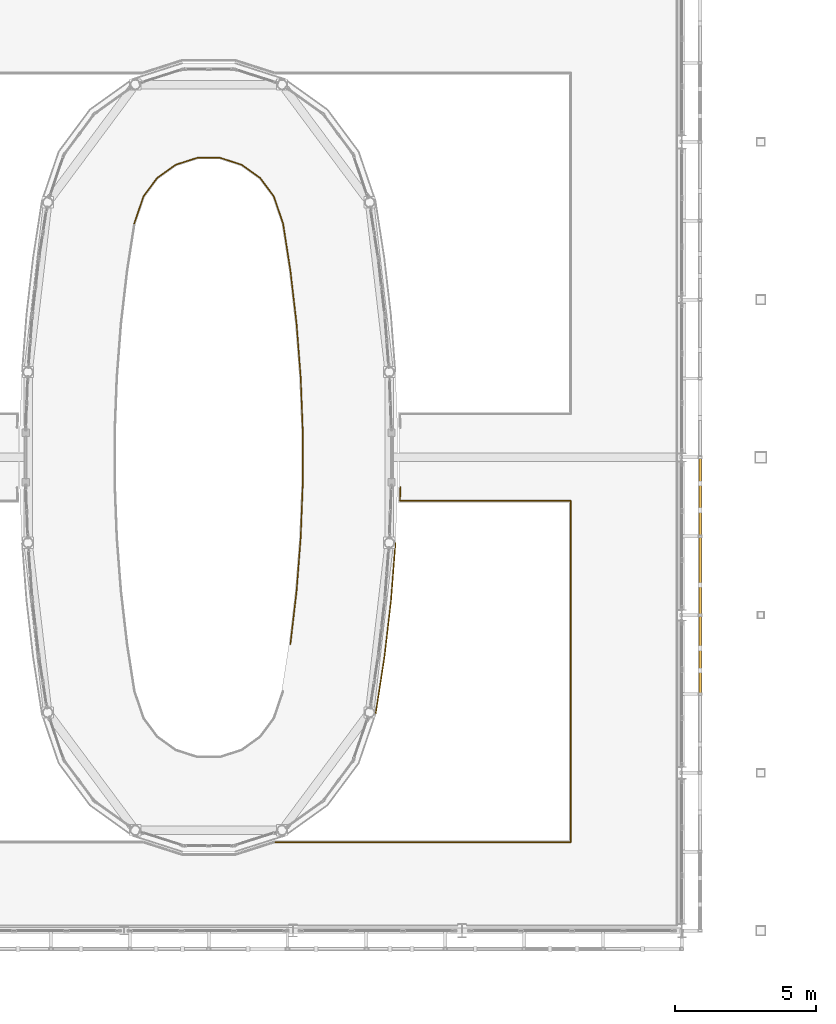
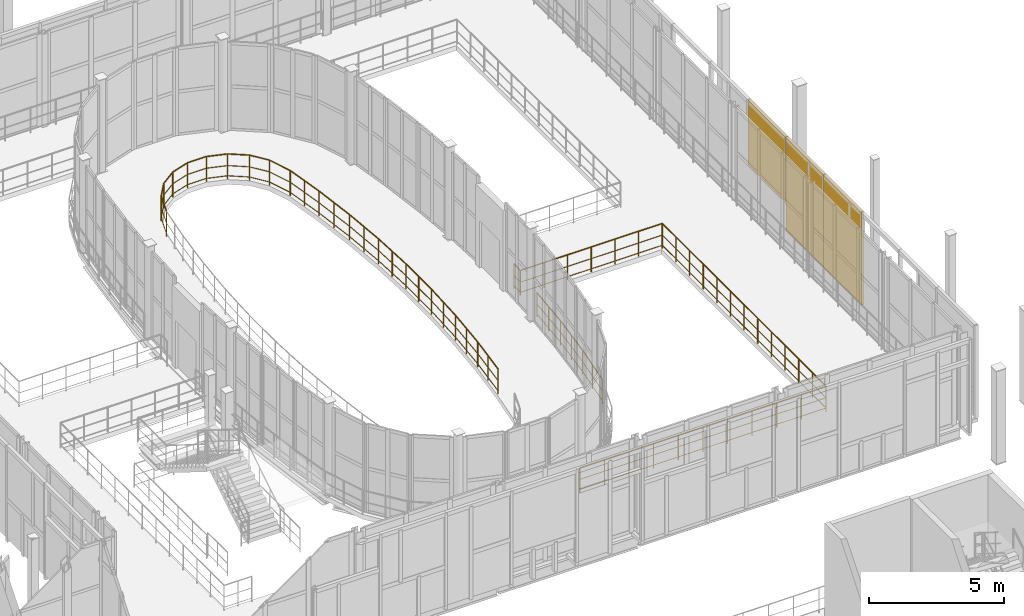
# One storey, part 133 of 138: 5 railings, 3 shading devices.
"""IFC4 building model written with IfcOpenShell, lengths in metres."""

from ifc_helpers import new_model, si_unit, direction, frame, origin, origin_2d, place, context, subcontext, project, spatial, rectangle, circle, extrude, material, type_object, element, save


model = new_model("IFC4")

# Units and contexts
model_context = context("Model", 3, precision=1e-05, world=origin(), true_north=direction((0.0, 1.0)))
body_context = subcontext(model_context, "Body", "Model", "MODEL_VIEW")
ifc_project = project(units=[si_unit("LENGTHUNIT", "METRE"), si_unit("AREAUNIT", "SQUARE_METRE"), si_unit("VOLUMEUNIT", "CUBIC_METRE"), si_unit("PLANEANGLEUNIT", "RADIAN"), si_unit("MASSUNIT", "GRAM", prefix="KILO")], contexts=[model_context])

# Site, building, storey
site_placement = place(None, origin())
site = spatial("IfcSite", under=ifc_project, at=site_placement, CompositionType="ELEMENT")
building_placement = place(site_placement, origin())
building = spatial("IfcBuilding", under=site, at=building_placement, Name="Vinh Khe Railworks Police Headquarters", CompositionType="ELEMENT")
storey_placement = place(building_placement, frame((0.0, 0.0, 9.0)))
storey = spatial("IfcBuildingStorey", under=building, at=storey_placement, Name="L02", CompositionType="ELEMENT", Elevation=9.0)

# Railings
ifc_material_1 = material(Name="Dark steel and laminated safety glass", Category="steel")
railing_type_1 = type_object("IfcRailingType", Name="RL-ATRIUM-1150", PredefinedType="BALUSTRADE", material=ifc_material_1)
railing_1_placement = place(storey_placement, frame((50.009033203125, 40.949951171875, 0.0)))
element("IfcRailing", 1, at=railing_1_placement, inside=storey, type_object=railing_type_1, Name="Atrium Balustrade GR-V1HOLE-L02-1-04", PredefinedType="BALUSTRADE", context=body_context, shape_type="SweptSolid", body=[
    extrude(circle(Radius=0.02392578125, at=origin_2d()), frame((0.0, 0.0, 1.1259765625), z_axis=(-0.038337515315, -0.999264847235, 0.0), x_axis=(0.999264847235, -0.038337515315, 0.0)), (0.0, 0.0, 1.0), 0.490234375),
    extrude(circle(Radius=0.01416015625, at=origin_2d()), frame((0.0, 0.0, 0.137939453125), z_axis=(-0.038337515315, -0.999264847235, 0.0), x_axis=(0.999264847235, -0.038337515315, 0.0)), (0.0, 0.0, 1.0), 0.490234375),
    extrude(circle(Radius=0.01416015625, at=origin_2d()), frame((0.0, 0.0, 0.597900390625), z_axis=(-0.038337515315, -0.999264847235, 0.0), x_axis=(0.999264847235, -0.038337515315, 0.0)), (0.0, 0.0, 1.0), 0.490234375),
    extrude(circle(Radius=0.02392578125, at=origin_2d()), frame((-0.018798828125, -0.489990234375, 1.1259765625), z_axis=(1.0, 0.0, 0.0), x_axis=(0.0, 1.0, 0.0)), (0.0, 0.0, 1.0), 6.06982421875),
    extrude(circle(Radius=0.01416015625, at=origin_2d()), frame((-0.018798828125, -0.489990234375, 0.137939453125), z_axis=(1.0, 0.0, 0.0), x_axis=(0.0, 1.0, 0.0)), (0.0, 0.0, 1.0), 6.06982421875),
    extrude(circle(Radius=0.01416015625, at=origin_2d()), frame((-0.018798828125, -0.489990234375, 0.597900390625), z_axis=(1.0, 0.0, 0.0), x_axis=(0.0, 1.0, 0.0)), (0.0, 0.0, 1.0), 6.06982421875),
    extrude(circle(Radius=0.02392578125, at=origin_2d()), frame((6.051025390625, -0.489990234375, 1.1259765625), z_axis=(0.0, -1.0, 0.0), x_axis=(1.0, 0.0, 0.0)), (0.0, 0.0, 1.0), 12.119873046875),
    extrude(circle(Radius=0.01416015625, at=origin_2d()), frame((6.051025390625, -0.489990234375, 0.137939453125), z_axis=(0.0, -1.0, 0.0), x_axis=(1.0, 0.0, 0.0)), (0.0, 0.0, 1.0), 12.119873046875),
    extrude(circle(Radius=0.01416015625, at=origin_2d()), frame((6.051025390625, -0.489990234375, 0.597900390625), z_axis=(0.0, -1.0, 0.0), x_axis=(1.0, 0.0, 0.0)), (0.0, 0.0, 1.0), 12.119873046875),
    extrude(circle(Radius=0.02392578125, at=origin_2d()), frame((6.051025390625, -12.60986328125, 1.1259765625), z_axis=(-1.0, 0.0, 0.0), x_axis=(0.0, -1.0, 0.0)), (0.0, 0.0, 1.0), 10.5244140625),
    extrude(circle(Radius=0.01416015625, at=origin_2d()), frame((6.051025390625, -12.60986328125, 0.137939453125), z_axis=(-1.0, 0.0, 0.0), x_axis=(0.0, -1.0, 0.0)), (0.0, 0.0, 1.0), 10.5244140625),
    extrude(circle(Radius=0.01416015625, at=origin_2d()), frame((6.051025390625, -12.60986328125, 0.597900390625), z_axis=(-1.0, 0.0, 0.0), x_axis=(0.0, -1.0, 0.0)), (0.0, 0.0, 1.0), 10.5244140625),
    extrude(circle(Radius=0.02099609375, at=origin_2d()), origin(), (0.0, 0.0, 1.0), 1.101806640625),
    extrude(circle(Radius=0.02099609375, at=origin_2d()), frame((-0.018798828125, -0.489990234375, 0.0)), (0.0, 0.0, 1.0), 1.101806640625),
    extrude(circle(Radius=0.02099609375, at=origin_2d()), frame((0.992919921875, -0.489990234375, 0.0)), (0.0, 0.0, 1.0), 1.101806640625),
    extrude(circle(Radius=0.02099609375, at=origin_2d()), frame((2.00439453125, -0.489990234375, 0.0)), (0.0, 0.0, 1.0), 1.101806640625),
    extrude(circle(Radius=0.02099609375, at=origin_2d()), frame((3.01611328125, -0.489990234375, 0.0)), (0.0, 0.0, 1.0), 1.101806640625),
    extrude(circle(Radius=0.02099609375, at=origin_2d()), frame((4.02783203125, -0.489990234375, 0.0)), (0.0, 0.0, 1.0), 1.101806640625),
    extrude(circle(Radius=0.02099609375, at=origin_2d()), frame((5.039306640625, -0.489990234375, 0.0)), (0.0, 0.0, 1.0), 1.101806640625),
    extrude(circle(Radius=0.02099609375, at=origin_2d()), frame((6.051025390625, -0.489990234375, 0.0)), (0.0, 0.0, 1.0), 1.101806640625),
    extrude(circle(Radius=0.02099609375, at=origin_2d()), frame((6.051025390625, -1.5, 0.0)), (0.0, 0.0, 1.0), 1.101806640625),
    extrude(circle(Radius=0.02099609375, at=origin_2d()), frame((6.051025390625, -2.510009765625, 0.0)), (0.0, 0.0, 1.0), 1.101806640625),
    extrude(circle(Radius=0.02099609375, at=origin_2d()), frame((6.051025390625, -3.52001953125, 0.0)), (0.0, 0.0, 1.0), 1.101806640625),
    extrude(circle(Radius=0.02099609375, at=origin_2d()), frame((6.051025390625, -4.530029296875, 0.0)), (0.0, 0.0, 1.0), 1.101806640625),
    extrude(circle(Radius=0.02099609375, at=origin_2d()), frame((6.051025390625, -5.5400390625, 0.0)), (0.0, 0.0, 1.0), 1.101806640625),
    extrude(circle(Radius=0.02099609375, at=origin_2d()), frame((6.051025390625, -6.5498046875, 0.0)), (0.0, 0.0, 1.0), 1.101806640625),
    extrude(circle(Radius=0.02099609375, at=origin_2d()), frame((6.051025390625, -7.559814453125, 0.0)), (0.0, 0.0, 1.0), 1.101806640625),
    extrude(circle(Radius=0.02099609375, at=origin_2d()), frame((6.051025390625, -8.56982421875, 0.0)), (0.0, 0.0, 1.0), 1.101806640625),
    extrude(circle(Radius=0.02099609375, at=origin_2d()), frame((6.051025390625, -9.579833984375, 0.0)), (0.0, 0.0, 1.0), 1.101806640625),
    extrude(circle(Radius=0.02099609375, at=origin_2d()), frame((6.051025390625, -10.58984375, 0.0)), (0.0, 0.0, 1.0), 1.101806640625),
    extrude(circle(Radius=0.02099609375, at=origin_2d()), frame((6.051025390625, -11.599853515625, 0.0)), (0.0, 0.0, 1.0), 1.101806640625),
    extrude(circle(Radius=0.02099609375, at=origin_2d()), frame((6.051025390625, -12.60986328125, 0.0)), (0.0, 0.0, 1.0), 1.101806640625),
    extrude(circle(Radius=0.02099609375, at=origin_2d()), frame((4.99853515625, -12.60986328125, 0.0)), (0.0, 0.0, 1.0), 1.101806640625),
    extrude(circle(Radius=0.02099609375, at=origin_2d()), frame((3.946044921875, -12.60986328125, 0.0)), (0.0, 0.0, 1.0), 1.101806640625),
    extrude(circle(Radius=0.02099609375, at=origin_2d()), frame((2.893798828125, -12.60986328125, 0.0)), (0.0, 0.0, 1.0), 1.101806640625),
    extrude(circle(Radius=0.02099609375, at=origin_2d()), frame((1.84130859375, -12.60986328125, 0.0)), (0.0, 0.0, 1.0), 1.101806640625),
    extrude(circle(Radius=0.02099609375, at=origin_2d()), frame((0.788818359375, -12.60986328125, 0.0)), (0.0, 0.0, 1.0), 1.101806640625),
    extrude(circle(Radius=0.02099609375, at=origin_2d()), frame((-0.263671875, -12.60986328125, 0.0)), (0.0, 0.0, 1.0), 1.101806640625),
    extrude(circle(Radius=0.02099609375, at=origin_2d()), frame((-1.316162109375, -12.60986328125, 0.0)), (0.0, 0.0, 1.0), 1.101806640625),
    extrude(circle(Radius=0.02099609375, at=origin_2d()), frame((-2.368408203125, -12.60986328125, 0.0)), (0.0, 0.0, 1.0), 1.101806640625),
    extrude(circle(Radius=0.02099609375, at=origin_2d()), frame((-3.4208984375, -12.60986328125, 0.0)), (0.0, 0.0, 1.0), 1.101806640625),
    extrude(circle(Radius=0.02099609375, at=origin_2d()), frame((-4.473388671875, -12.60986328125, 0.0)), (0.0, 0.0, 1.0), 1.101806640625),
])
railing_2_placement = place(storey_placement, frame((40.557373046875, 50.300048828125, 0.0)))
element("IfcRailing", 2, at=railing_2_placement, inside=storey, type_object=railing_type_1, Name="Atrium Balustrade GR-V2HOLE-L02-1-02", PredefinedType="BALUSTRADE", context=body_context, shape_type="SweptSolid", body=[
    extrude(circle(Radius=0.02392578125, at=origin_2d()), frame((0.0, 0.0, 1.1259765625), z_axis=(0.322649686161, 0.946518452023, 0.0), x_axis=(-0.946518452023, 0.322649686161, 0.0)), (0.0, 0.0, 1.0), 1.025390625),
    extrude(circle(Radius=0.01416015625, at=origin_2d()), frame((0.0, 0.0, 0.137939453125), z_axis=(0.322649686161, 0.946518452023, 0.0), x_axis=(-0.946518452023, 0.322649686161, 0.0)), (0.0, 0.0, 1.0), 1.025390625),
    extrude(circle(Radius=0.01416015625, at=origin_2d()), frame((0.0, 0.0, 0.597900390625), z_axis=(0.322649686161, 0.946518452023, 0.0), x_axis=(-0.946518452023, 0.322649686161, 0.0)), (0.0, 0.0, 1.0), 1.025390625),
    extrude(circle(Radius=0.02392578125, at=origin_2d()), frame((0.330810546875, 0.970458984375, 1.1259765625), z_axis=(0.596657848959, 0.802495739101, 0.0), x_axis=(-0.802495739101, 0.596657848959, 0.0)), (0.0, 0.0, 1.0), 0.8076171875),
    extrude(circle(Radius=0.01416015625, at=origin_2d()), frame((0.330810546875, 0.970458984375, 0.137939453125), z_axis=(0.596657848959, 0.802495739101, 0.0), x_axis=(-0.802495739101, 0.596657848959, 0.0)), (0.0, 0.0, 1.0), 0.8076171875),
    extrude(circle(Radius=0.01416015625, at=origin_2d()), frame((0.330810546875, 0.970458984375, 0.597900390625), z_axis=(0.596657848959, 0.802495739101, 0.0), x_axis=(-0.802495739101, 0.596657848959, 0.0)), (0.0, 0.0, 1.0), 0.8076171875),
    extrude(circle(Radius=0.02392578125, at=origin_2d()), frame((0.812744140625, 1.61865234375, 1.1259765625), z_axis=(0.813181820402, 0.58200973099, 0.0), x_axis=(-0.58200973099, 0.813181820402, 0.0)), (0.0, 0.0, 1.0), 0.807861328125),
    extrude(circle(Radius=0.01416015625, at=origin_2d()), frame((0.812744140625, 1.61865234375, 0.137939453125), z_axis=(0.813181820402, 0.58200973099, 0.0), x_axis=(-0.58200973099, 0.813181820402, 0.0)), (0.0, 0.0, 1.0), 0.807861328125),
    extrude(circle(Radius=0.01416015625, at=origin_2d()), frame((0.812744140625, 1.61865234375, 0.597900390625), z_axis=(0.813181820402, 0.58200973099, 0.0), x_axis=(-0.58200973099, 0.813181820402, 0.0)), (0.0, 0.0, 1.0), 0.807861328125),
    extrude(circle(Radius=0.02392578125, at=origin_2d()), frame((1.4697265625, 2.0888671875, 1.1259765625), z_axis=(0.952160564229, 0.305598200138, 0.0), x_axis=(-0.305598200138, 0.952160564229, 0.0)), (0.0, 0.0, 1.0), 0.8076171875),
    extrude(circle(Radius=0.01416015625, at=origin_2d()), frame((1.4697265625, 2.0888671875, 0.137939453125), z_axis=(0.952160564229, 0.305598200138, 0.0), x_axis=(-0.305598200138, 0.952160564229, 0.0)), (0.0, 0.0, 1.0), 0.8076171875),
    extrude(circle(Radius=0.01416015625, at=origin_2d()), frame((1.4697265625, 2.0888671875, 0.597900390625), z_axis=(0.952160564229, 0.305598200138, 0.0), x_axis=(-0.305598200138, 0.952160564229, 0.0)), (0.0, 0.0, 1.0), 0.8076171875),
    extrude(circle(Radius=0.02392578125, at=origin_2d()), frame((2.23876953125, 2.335693359375, 1.1259765625), z_axis=(1.0, 0.0, 0.0), x_axis=(0.0, 1.0, 0.0)), (0.0, 0.0, 1.0), 0.807861328125),
    extrude(circle(Radius=0.01416015625, at=origin_2d()), frame((2.23876953125, 2.335693359375, 0.137939453125), z_axis=(1.0, 0.0, 0.0), x_axis=(0.0, 1.0, 0.0)), (0.0, 0.0, 1.0), 0.807861328125),
    extrude(circle(Radius=0.01416015625, at=origin_2d()), frame((2.23876953125, 2.335693359375, 0.597900390625), z_axis=(1.0, 0.0, 0.0), x_axis=(0.0, 1.0, 0.0)), (0.0, 0.0, 1.0), 0.807861328125),
    extrude(circle(Radius=0.02392578125, at=origin_2d()), frame((3.046630859375, 2.335693359375, 1.1259765625), z_axis=(0.952160564229, -0.305598200138, 0.0), x_axis=(0.305598200138, 0.952160564229, 0.0)), (0.0, 0.0, 1.0), 0.8076171875),
    extrude(circle(Radius=0.01416015625, at=origin_2d()), frame((3.046630859375, 2.335693359375, 0.137939453125), z_axis=(0.952160564229, -0.305598200138, 0.0), x_axis=(0.305598200138, 0.952160564229, 0.0)), (0.0, 0.0, 1.0), 0.8076171875),
    extrude(circle(Radius=0.01416015625, at=origin_2d()), frame((3.046630859375, 2.335693359375, 0.597900390625), z_axis=(0.952160564229, -0.305598200138, 0.0), x_axis=(0.305598200138, 0.952160564229, 0.0)), (0.0, 0.0, 1.0), 0.8076171875),
    extrude(circle(Radius=0.02392578125, at=origin_2d()), frame((3.815673828125, 2.0888671875, 1.1259765625), z_axis=(0.813079421677, -0.58215277552, 0.0), x_axis=(0.58215277552, 0.813079421677, 0.0)), (0.0, 0.0, 1.0), 0.8076171875),
    extrude(circle(Radius=0.01416015625, at=origin_2d()), frame((3.815673828125, 2.0888671875, 0.137939453125), z_axis=(0.813079421677, -0.58215277552, 0.0), x_axis=(0.58215277552, 0.813079421677, 0.0)), (0.0, 0.0, 1.0), 0.8076171875),
    extrude(circle(Radius=0.01416015625, at=origin_2d()), frame((3.815673828125, 2.0888671875, 0.597900390625), z_axis=(0.813079421677, -0.58215277552, 0.0), x_axis=(0.58215277552, 0.813079421677, 0.0)), (0.0, 0.0, 1.0), 0.8076171875),
    extrude(circle(Radius=0.02392578125, at=origin_2d()), frame((4.472412109375, 1.61865234375, 1.1259765625), z_axis=(0.596657848959, -0.802495739101, 0.0), x_axis=(0.802495739101, 0.596657848959, 0.0)), (0.0, 0.0, 1.0), 0.8076171875),
    extrude(circle(Radius=0.01416015625, at=origin_2d()), frame((4.472412109375, 1.61865234375, 0.137939453125), z_axis=(0.596657848959, -0.802495739101, 0.0), x_axis=(0.802495739101, 0.596657848959, 0.0)), (0.0, 0.0, 1.0), 0.8076171875),
    extrude(circle(Radius=0.01416015625, at=origin_2d()), frame((4.472412109375, 1.61865234375, 0.597900390625), z_axis=(0.596657848959, -0.802495739101, 0.0), x_axis=(0.802495739101, 0.596657848959, 0.0)), (0.0, 0.0, 1.0), 0.8076171875),
    extrude(circle(Radius=0.02392578125, at=origin_2d()), frame((4.954345703125, 0.970458984375, 1.1259765625), z_axis=(0.322862990684, -0.94644571384, 0.0), x_axis=(0.94644571384, 0.322862990684, 0.0)), (0.0, 0.0, 1.0), 1.025390625),
    extrude(circle(Radius=0.01416015625, at=origin_2d()), frame((4.954345703125, 0.970458984375, 0.137939453125), z_axis=(0.322862990684, -0.94644571384, 0.0), x_axis=(0.94644571384, 0.322862990684, 0.0)), (0.0, 0.0, 1.0), 1.025390625),
    extrude(circle(Radius=0.01416015625, at=origin_2d()), frame((4.954345703125, 0.970458984375, 0.597900390625), z_axis=(0.322862990684, -0.94644571384, 0.0), x_axis=(0.94644571384, 0.322862990684, 0.0)), (0.0, 0.0, 1.0), 1.025390625),
    extrude(circle(Radius=0.02392578125, at=origin_2d()), frame((5.285400390625, 0.0, 1.1259765625), z_axis=(0.153471395773, -0.98815309071, 0.0), x_axis=(0.98815309071, 0.153471395773, 0.0)), (0.0, 0.0, 1.0), 1.686279296875),
    extrude(circle(Radius=0.01416015625, at=origin_2d()), frame((5.285400390625, 0.0, 0.137939453125), z_axis=(0.153471395773, -0.98815309071, 0.0), x_axis=(0.98815309071, 0.153471395773, 0.0)), (0.0, 0.0, 1.0), 1.686279296875),
    extrude(circle(Radius=0.01416015625, at=origin_2d()), frame((5.285400390625, 0.0, 0.597900390625), z_axis=(0.153471395773, -0.98815309071, 0.0), x_axis=(0.98815309071, 0.153471395773, 0.0)), (0.0, 0.0, 1.0), 1.686279296875),
    extrude(circle(Radius=0.02392578125, at=origin_2d()), frame((5.544189453125, -1.666259765625, 1.1259765625), z_axis=(0.115335822068, -0.993326556651, 0.0), x_axis=(0.993326556651, 0.115335822068, 0.0)), (0.0, 0.0, 1.0), 1.90087890625),
    extrude(circle(Radius=0.01416015625, at=origin_2d()), frame((5.544189453125, -1.666259765625, 0.137939453125), z_axis=(0.115335822068, -0.993326556651, 0.0), x_axis=(0.993326556651, 0.115335822068, 0.0)), (0.0, 0.0, 1.0), 1.90087890625),
    extrude(circle(Radius=0.01416015625, at=origin_2d()), frame((5.544189453125, -1.666259765625, 0.597900390625), z_axis=(0.115335822068, -0.993326556651, 0.0), x_axis=(0.993326556651, 0.115335822068, 0.0)), (0.0, 0.0, 1.0), 1.90087890625),
    extrude(circle(Radius=0.02392578125, at=origin_2d()), frame((5.763427734375, -3.554443359375, 1.1259765625), z_axis=(0.076922361457, -0.997037085723, 0.0), x_axis=(0.997037085723, 0.076922361457, 0.0)), (0.0, 0.0, 1.0), 1.901123046875),
    extrude(circle(Radius=0.01416015625, at=origin_2d()), frame((5.763427734375, -3.554443359375, 0.137939453125), z_axis=(0.076922361457, -0.997037085723, 0.0), x_axis=(0.997037085723, 0.076922361457, 0.0)), (0.0, 0.0, 1.0), 1.901123046875),
    extrude(circle(Radius=0.01416015625, at=origin_2d()), frame((5.763427734375, -3.554443359375, 0.597900390625), z_axis=(0.076922361457, -0.997037085723, 0.0), x_axis=(0.997037085723, 0.076922361457, 0.0)), (0.0, 0.0, 1.0), 1.901123046875),
    extrude(circle(Radius=0.02392578125, at=origin_2d()), frame((5.90966796875, -5.449951171875, 1.1259765625), z_axis=(0.038526830718, -0.999257566053, 0.0), x_axis=(0.999257566053, 0.038526830718, 0.0)), (0.0, 0.0, 1.0), 1.901123046875),
    extrude(circle(Radius=0.01416015625, at=origin_2d()), frame((5.90966796875, -5.449951171875, 0.137939453125), z_axis=(0.038526830718, -0.999257566053, 0.0), x_axis=(0.999257566053, 0.038526830718, 0.0)), (0.0, 0.0, 1.0), 1.901123046875),
    extrude(circle(Radius=0.01416015625, at=origin_2d()), frame((5.90966796875, -5.449951171875, 0.597900390625), z_axis=(0.038526830718, -0.999257566053, 0.0), x_axis=(0.999257566053, 0.038526830718, 0.0)), (0.0, 0.0, 1.0), 1.901123046875),
    extrude(circle(Radius=0.02392578125, at=origin_2d()), frame((5.98291015625, -7.349609375, 1.1259765625), z_axis=(0.0, -1.0, 0.0), x_axis=(1.0, 0.0, 0.0)), (0.0, 0.0, 1.0), 1.90087890625),
    extrude(circle(Radius=0.01416015625, at=origin_2d()), frame((5.98291015625, -7.349609375, 0.137939453125), z_axis=(0.0, -1.0, 0.0), x_axis=(1.0, 0.0, 0.0)), (0.0, 0.0, 1.0), 1.90087890625),
    extrude(circle(Radius=0.01416015625, at=origin_2d()), frame((5.98291015625, -7.349609375, 0.597900390625), z_axis=(0.0, -1.0, 0.0), x_axis=(1.0, 0.0, 0.0)), (0.0, 0.0, 1.0), 1.90087890625),
    extrude(circle(Radius=0.02392578125, at=origin_2d()), frame((5.98291015625, -9.25048828125, 1.1259765625), z_axis=(-0.038526830718, -0.999257566053, 0.0), x_axis=(0.999257566053, -0.038526830718, 0.0)), (0.0, 0.0, 1.0), 1.901123046875),
    extrude(circle(Radius=0.01416015625, at=origin_2d()), frame((5.98291015625, -9.25048828125, 0.137939453125), z_axis=(-0.038526830718, -0.999257566053, 0.0), x_axis=(0.999257566053, -0.038526830718, 0.0)), (0.0, 0.0, 1.0), 1.901123046875),
    extrude(circle(Radius=0.01416015625, at=origin_2d()), frame((5.98291015625, -9.25048828125, 0.597900390625), z_axis=(-0.038526830718, -0.999257566053, 0.0), x_axis=(0.999257566053, -0.038526830718, 0.0)), (0.0, 0.0, 1.0), 1.901123046875),
    extrude(circle(Radius=0.02392578125, at=origin_2d()), frame((5.90966796875, -11.150146484375, 1.1259765625), z_axis=(-0.076922361457, -0.997037085723, 0.0), x_axis=(0.997037085723, -0.076922361457, 0.0)), (0.0, 0.0, 1.0), 1.901123046875),
    extrude(circle(Radius=0.01416015625, at=origin_2d()), frame((5.90966796875, -11.150146484375, 0.137939453125), z_axis=(-0.076922361457, -0.997037085723, 0.0), x_axis=(0.997037085723, -0.076922361457, 0.0)), (0.0, 0.0, 1.0), 1.901123046875),
    extrude(circle(Radius=0.01416015625, at=origin_2d()), frame((5.90966796875, -11.150146484375, 0.597900390625), z_axis=(-0.076922361457, -0.997037085723, 0.0), x_axis=(0.997037085723, -0.076922361457, 0.0)), (0.0, 0.0, 1.0), 1.901123046875),
    extrude(circle(Radius=0.02392578125, at=origin_2d()), frame((5.763427734375, -13.045654296875, 1.1259765625), z_axis=(-0.115335822068, -0.993326556651, 0.0), x_axis=(0.993326556651, -0.115335822068, 0.0)), (0.0, 0.0, 1.0), 1.90087890625),
    extrude(circle(Radius=0.01416015625, at=origin_2d()), frame((5.763427734375, -13.045654296875, 0.137939453125), z_axis=(-0.115335822068, -0.993326556651, 0.0), x_axis=(0.993326556651, -0.115335822068, 0.0)), (0.0, 0.0, 1.0), 1.90087890625),
    extrude(circle(Radius=0.01416015625, at=origin_2d()), frame((5.763427734375, -13.045654296875, 0.597900390625), z_axis=(-0.115335822068, -0.993326556651, 0.0), x_axis=(0.993326556651, -0.115335822068, 0.0)), (0.0, 0.0, 1.0), 1.90087890625),
    extrude(circle(Radius=0.02099609375, at=origin_2d()), origin(), (0.0, 0.0, 1.0), 1.101806640625),
    extrude(circle(Radius=0.02099609375, at=origin_2d()), frame((0.330810546875, 0.970458984375, 0.0)), (0.0, 0.0, 1.0), 1.101806640625),
    extrude(circle(Radius=0.02099609375, at=origin_2d()), frame((0.812744140625, 1.61865234375, 0.0)), (0.0, 0.0, 1.0), 1.101806640625),
    extrude(circle(Radius=0.02099609375, at=origin_2d()), frame((1.4697265625, 2.0888671875, 0.0)), (0.0, 0.0, 1.0), 1.101806640625),
    extrude(circle(Radius=0.02099609375, at=origin_2d()), frame((2.23876953125, 2.335693359375, 0.0)), (0.0, 0.0, 1.0), 1.101806640625),
    extrude(circle(Radius=0.02099609375, at=origin_2d()), frame((3.046630859375, 2.335693359375, 0.0)), (0.0, 0.0, 1.0), 1.101806640625),
    extrude(circle(Radius=0.02099609375, at=origin_2d()), frame((3.815673828125, 2.0888671875, 0.0)), (0.0, 0.0, 1.0), 1.101806640625),
    extrude(circle(Radius=0.02099609375, at=origin_2d()), frame((4.472412109375, 1.61865234375, 0.0)), (0.0, 0.0, 1.0), 1.101806640625),
    extrude(circle(Radius=0.02099609375, at=origin_2d()), frame((4.954345703125, 0.970458984375, 0.0)), (0.0, 0.0, 1.0), 1.101806640625),
    extrude(circle(Radius=0.02099609375, at=origin_2d()), frame((5.285400390625, 0.0, 0.0)), (0.0, 0.0, 1.0), 1.101806640625),
    extrude(circle(Radius=0.02099609375, at=origin_2d()), frame((5.414794921875, -0.8330078125, 0.0)), (0.0, 0.0, 1.0), 1.101806640625),
    extrude(circle(Radius=0.02099609375, at=origin_2d()), frame((5.544189453125, -1.666259765625, 0.0)), (0.0, 0.0, 1.0), 1.101806640625),
    extrude(circle(Radius=0.02099609375, at=origin_2d()), frame((5.65380859375, -2.6103515625, 0.0)), (0.0, 0.0, 1.0), 1.101806640625),
    extrude(circle(Radius=0.02099609375, at=origin_2d()), frame((5.763427734375, -3.554443359375, 0.0)), (0.0, 0.0, 1.0), 1.101806640625),
    extrude(circle(Radius=0.02099609375, at=origin_2d()), frame((5.83642578125, -4.502197265625, 0.0)), (0.0, 0.0, 1.0), 1.101806640625),
    extrude(circle(Radius=0.02099609375, at=origin_2d()), frame((5.90966796875, -5.449951171875, 0.0)), (0.0, 0.0, 1.0), 1.101806640625),
    extrude(circle(Radius=0.02099609375, at=origin_2d()), frame((5.9462890625, -6.39990234375, 0.0)), (0.0, 0.0, 1.0), 1.101806640625),
    extrude(circle(Radius=0.02099609375, at=origin_2d()), frame((5.98291015625, -7.349609375, 0.0)), (0.0, 0.0, 1.0), 1.101806640625),
    extrude(circle(Radius=0.02099609375, at=origin_2d()), frame((5.98291015625, -8.300048828125, 0.0)), (0.0, 0.0, 1.0), 1.101806640625),
    extrude(circle(Radius=0.02099609375, at=origin_2d()), frame((5.98291015625, -9.25048828125, 0.0)), (0.0, 0.0, 1.0), 1.101806640625),
    extrude(circle(Radius=0.02099609375, at=origin_2d()), frame((5.9462890625, -10.2001953125, 0.0)), (0.0, 0.0, 1.0), 1.101806640625),
    extrude(circle(Radius=0.02099609375, at=origin_2d()), frame((5.90966796875, -11.150146484375, 0.0)), (0.0, 0.0, 1.0), 1.101806640625),
    extrude(circle(Radius=0.02099609375, at=origin_2d()), frame((5.83642578125, -12.097900390625, 0.0)), (0.0, 0.0, 1.0), 1.101806640625),
    extrude(circle(Radius=0.02099609375, at=origin_2d()), frame((5.763427734375, -13.045654296875, 0.0)), (0.0, 0.0, 1.0), 1.101806640625),
    extrude(circle(Radius=0.02099609375, at=origin_2d()), frame((5.65380859375, -13.98974609375, 0.0)), (0.0, 0.0, 1.0), 1.101806640625),
    extrude(circle(Radius=0.02099609375, at=origin_2d()), frame((5.544189453125, -14.933837890625, 0.0)), (0.0, 0.0, 1.0), 1.101806640625),
])
ifc_material_2 = material(Name="Painted tubular steel", Category="steel")
railing_type_2 = type_object("IfcRailingType", Name="RL-GUARD-1100", PredefinedType="GUARDRAIL", material=ifc_material_2)
railing_3_placement = place(storey_placement, frame((49.12744140625, 32.891357421875, 0.0)))
element("IfcRailing", 3, at=railing_3_placement, inside=storey, type_object=railing_type_2, Name="Slab Corner Notch Guard L02-56", PredefinedType="GUARDRAIL", context=body_context, shape_type="SweptSolid", body=[
    extrude(circle(Radius=0.02392578125, at=origin_2d()), frame((0.0, 0.0, 1.09619140625), z_axis=(0.153455860094, 0.988155503452, 0.0), x_axis=(-0.988155503452, 0.153455860094, 0.0)), (0.0, 0.0, 1.0), 2.0458984375),
    extrude(circle(Radius=0.01416015625, at=origin_2d()), frame((0.0, 0.0, 0.134521484375), z_axis=(0.153455860094, 0.988155503452, 0.0), x_axis=(-0.988155503452, 0.153455860094, 0.0)), (0.0, 0.0, 1.0), 2.0458984375),
    extrude(circle(Radius=0.01416015625, at=origin_2d()), frame((0.0, 0.0, 0.58251953125), z_axis=(0.153455860094, 0.988155503452, 0.0), x_axis=(-0.988155503452, 0.153455860094, 0.0)), (0.0, 0.0, 1.0), 2.0458984375),
    extrude(circle(Radius=0.02099609375, at=origin_2d()), origin(), (0.0, 0.0, 1.0), 1.072021484375),
    extrude(circle(Radius=0.02099609375, at=origin_2d()), frame((0.156982421875, 1.0107421875, 0.0)), (0.0, 0.0, 1.0), 1.072021484375),
    extrude(circle(Radius=0.02099609375, at=origin_2d()), frame((0.31396484375, 2.021728515625, 0.0)), (0.0, 0.0, 1.0), 1.072021484375),
])
railing_4_placement = place(storey_placement, frame((49.44140625, 34.9130859375, 0.0)))
element("IfcRailing", 4, at=railing_4_placement, inside=storey, type_object=railing_type_2, Name="Slab Corner Notch Guard L02-57", PredefinedType="GUARDRAIL", context=body_context, shape_type="SweptSolid", body=[
    extrude(circle(Radius=0.02392578125, at=origin_2d()), frame((0.0, 0.0, 1.09619140625), z_axis=(0.115404315309, 0.993318601461, 0.0), x_axis=(-0.993318601461, 0.115404315309, 0.0)), (0.0, 0.0, 1.0), 2.031005859375),
    extrude(circle(Radius=0.01416015625, at=origin_2d()), frame((0.0, 0.0, 0.134521484375), z_axis=(0.115404315309, 0.993318601461, 0.0), x_axis=(-0.993318601461, 0.115404315309, 0.0)), (0.0, 0.0, 1.0), 2.031005859375),
    extrude(circle(Radius=0.01416015625, at=origin_2d()), frame((0.0, 0.0, 0.58251953125), z_axis=(0.115404315309, 0.993318601461, 0.0), x_axis=(-0.993318601461, 0.115404315309, 0.0)), (0.0, 0.0, 1.0), 2.031005859375),
    extrude(circle(Radius=0.02099609375, at=origin_2d()), origin(), (0.0, 0.0, 1.0), 1.072021484375),
    extrude(circle(Radius=0.02099609375, at=origin_2d()), frame((0.1171875, 1.0087890625, 0.0)), (0.0, 0.0, 1.0), 1.072021484375),
    extrude(circle(Radius=0.02099609375, at=origin_2d()), frame((0.234375, 2.017333984375, 0.0)), (0.0, 0.0, 1.0), 1.072021484375),
])
railing_5_placement = place(storey_placement, frame((49.67578125, 36.930419921875, 0.0)))
element("IfcRailing", 5, at=railing_5_placement, inside=storey, type_object=railing_type_2, Name="Slab Corner Notch Guard L02-58", PredefinedType="GUARDRAIL", context=body_context, shape_type="SweptSolid", body=[
    extrude(circle(Radius=0.02392578125, at=origin_2d()), frame((0.0, 0.0, 1.09619140625), z_axis=(0.076944728121, 0.997035359862, 0.0), x_axis=(-0.997035359862, 0.076944728121, 0.0)), (0.0, 0.0, 1.0), 2.03076171875),
    extrude(circle(Radius=0.01416015625, at=origin_2d()), frame((0.0, 0.0, 0.134521484375), z_axis=(0.076944728121, 0.997035359862, 0.0), x_axis=(-0.997035359862, 0.076944728121, 0.0)), (0.0, 0.0, 1.0), 2.03076171875),
    extrude(circle(Radius=0.01416015625, at=origin_2d()), frame((0.0, 0.0, 0.58251953125), z_axis=(0.076944728121, 0.997035359862, 0.0), x_axis=(-0.997035359862, 0.076944728121, 0.0)), (0.0, 0.0, 1.0), 2.03076171875),
    extrude(circle(Radius=0.02099609375, at=origin_2d()), origin(), (0.0, 0.0, 1.0), 1.072021484375),
    extrude(circle(Radius=0.02099609375, at=origin_2d()), frame((0.078125, 1.01220703125, 0.0)), (0.0, 0.0, 1.0), 1.072021484375),
    extrude(circle(Radius=0.02099609375, at=origin_2d()), frame((0.15625, 2.024658203125, 0.0)), (0.0, 0.0, 1.0), 1.072021484375),
])

# Shading devices
ifc_material_3 = material(Name="Salvaged ironwood timber", Category="wood")
shading_device_type_1 = type_object("IfcShadingDeviceType", Name="SHD-QS-01", PredefinedType="JALOUSIE", material=ifc_material_3)
shading_device_1_placement = place(storey_placement, frame((60.64990234375, 40.60009765625, 1.260009765625), z_axis=(0.0, 0.0, 1.0), x_axis=(0.0, 1.0, 0.0)))
element("IfcShadingDevice", 6, at=shading_device_1_placement, inside=storey, type_object=shading_device_type_1, Name="Salvaged Ironwood Upper Quilt Frame E-6", PredefinedType="JALOUSIE", context=body_context, shape_type="SweptSolid", body=[
    extrude(rectangle(XDim=2.800048828125, YDim=0.090087890625, at=origin_2d()), origin(), (0.0, 0.0, 1.0), 2.93994140625),
])
ifc_material_4 = material(Name="Weathered architectural steel", Category="steel")
shading_device_type_2 = type_object("IfcShadingDeviceType", Name="SHD-QS-03", PredefinedType="SHUTTER", material=ifc_material_4)
shading_device_2_placement = place(storey_placement, frame((60.64990234375, 37.800048828125, 0.0), z_axis=(0.0, 0.0, 1.0), x_axis=(0.0, 1.0, 0.0)))
element("IfcShadingDevice", 7, at=shading_device_2_placement, inside=storey, type_object=shading_device_type_2, Name="Dark Steel Patchwork Casement Frame E-5", PredefinedType="SHUTTER", context=body_context, shape_type="SweptSolid", body=[
    extrude(rectangle(XDim=2.800048828125, YDim=0.080078125, at=origin_2d()), origin(), (0.0, 0.0, 1.0), 4.199951171875),
])
shading_device_type_3 = type_object("IfcShadingDeviceType", Name="SHD-QS-04", PredefinedType="SHUTTER", material=ifc_material_3)
shading_device_3_placement = place(storey_placement, frame((60.64990234375, 35.0, 0.0), z_axis=(0.0, 0.0, 1.0), x_axis=(0.0, 1.0, 0.0)))
element("IfcShadingDevice", 8, at=shading_device_3_placement, inside=storey, type_object=shading_device_type_3, Name="Shuttered Ironwood Casement E-4", PredefinedType="SHUTTER", context=body_context, shape_type="SweptSolid", body=[
    extrude(rectangle(XDim=2.800048828125, YDim=0.090087890625, at=origin_2d()), origin(), (0.0, 0.0, 1.0), 4.199951171875),
])

save(model, "model.ifc")
